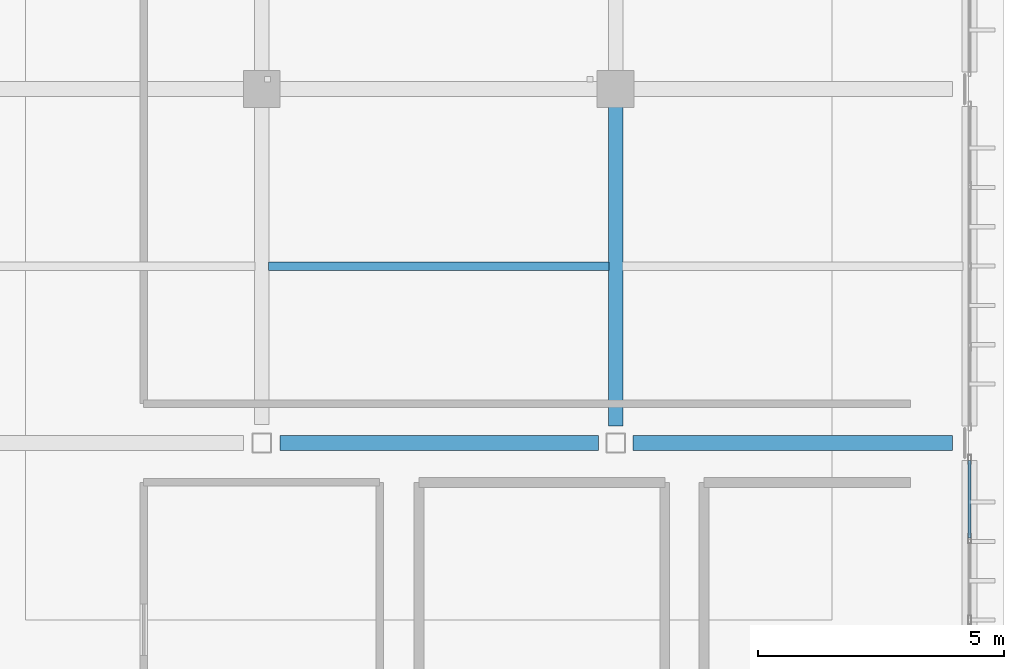
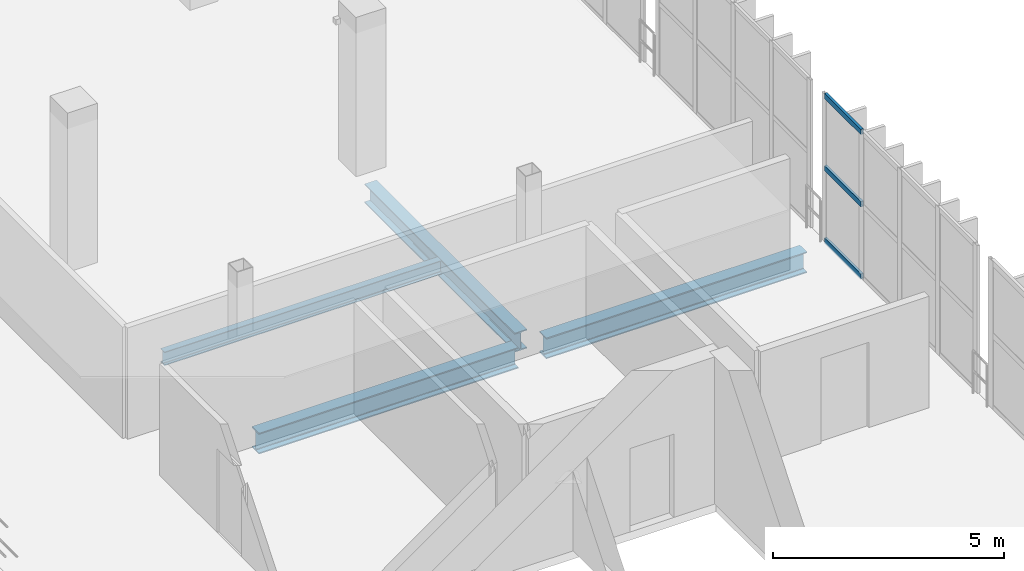
# One storey, part 73 of 130: 4 beams, 3 members, 1 element without a shape of its own.
"""IFC4 building model written with IfcOpenShell, lengths in metres."""

import ifcopenshell
import ifcopenshell.guid

model = None  # the IFC model being written
_history = None  # IfcOwnerHistory: only IFC2X3 demands one
_inside = {}  # id of a spatial element -> (the spatial element, [elements in it])
_under = {}  # id of a project, library or spatial element -> (it, [spatial elements below it])
_declared = {}  # id of a project -> (the project, [libraries it declares])
_typed = {}  # id of a type object -> (the type object, [elements of that type])
_made_of = {}  # id of a material, layer set ... -> (it, [elements and type objects made of it])


def new_model(schema):
    """Start an empty IFC model of exactly this schema.

    Asked for "IFC4X3", IfcOpenShell would pick the latest addendum, in which some entities
    have other attributes; the version numbers below select the first issue.
    IFC2X3 requires an IfcOwnerHistory on every rooted entity: one is made here for all.
    """
    global model, _history
    if schema == "IFC4X3":
        model = ifcopenshell.file(schema_version=(4, 3, 0, 0))
    else:
        model = ifcopenshell.file(schema=schema)
    _inside.clear()
    _under.clear()
    _declared.clear()
    _typed.clear()
    _made_of.clear()
    _history = None
    if model.schema == "IFC2X3":
        org = make("IfcOrganization", Name="unknown")
        user = make(
            "IfcPersonAndOrganization",
            ThePerson=make("IfcPerson", FamilyName="unknown"),
            TheOrganization=org,
        )
        app = make(
            "IfcApplication",
            ApplicationDeveloper=org,
            Version="unknown",
            ApplicationFullName="unknown",
            ApplicationIdentifier="unknown",
        )
        _history = make(
            "IfcOwnerHistory",
            OwningUser=user,
            OwningApplication=app,
            ChangeAction="ADDED",
            CreationDate=0,
        )
    return model


def make(cls, **values):
    """One entity of the class cls with the attributes given. An attribute that is None is left unset."""
    return model.create_entity(
        cls, **{name: value for name, value in values.items() if value is not None}
    )


def rooted(cls, **values):
    """An entity with a GlobalId (a new one), such as an element, a storey or a relation."""
    return make(cls, GlobalId=ifcopenshell.guid.new(), OwnerHistory=_history, **values)


def si_unit(unit_type, name, prefix=None):
    """IfcSIUnit, for example si_unit("LENGTHUNIT", "METRE", prefix="MILLI")."""
    return make("IfcSIUnit", UnitType=unit_type, Prefix=prefix, Name=name)


def assignment(units):
    """IfcUnitAssignment: the units of a project."""
    return None if units is None else make("IfcUnitAssignment", Units=units)


def point(xyz):
    """IfcCartesianPoint."""
    return None if xyz is None else make("IfcCartesianPoint", Coordinates=xyz)


def direction(xyz):
    """IfcDirection."""
    return None if xyz is None else make("IfcDirection", DirectionRatios=xyz)


def frame(location, z_axis=None, x_axis=None):
    """IfcAxis2Placement3D, a coordinate frame: its origin and axes. An axis left out is left unset."""
    return make(
        "IfcAxis2Placement3D",
        Location=point(location),
        Axis=direction(z_axis),
        RefDirection=direction(x_axis),
    )


def frame_2d(location, x_axis=None):
    """IfcAxis2Placement2D, a coordinate frame in the plane: its origin and x axis."""
    return make(
        "IfcAxis2Placement2D", Location=point(location), RefDirection=direction(x_axis)
    )


def origin():
    """The frame at (0, 0, 0) with its axes left unset."""
    return frame((0.0, 0.0, 0.0))


def origin_2d():
    """The frame at (0, 0) in the plane with its x axis left unset."""
    return frame_2d((0.0, 0.0))


def place(relative_to, where):
    """IfcLocalPlacement: puts the frame where relative to a parent placement (None: the world)."""
    return make(
        "IfcLocalPlacement", PlacementRelTo=relative_to, RelativePlacement=where
    )


def context(
    kind, dimensions, precision=None, world=None, true_north=None, identifier=None
):
    """IfcGeometricRepresentationContext, for example the 3D "Model" context."""
    return make(
        "IfcGeometricRepresentationContext",
        ContextIdentifier=identifier,
        ContextType=kind,
        CoordinateSpaceDimension=dimensions,
        Precision=precision,
        WorldCoordinateSystem=world,
        TrueNorth=true_north,
    )


def subcontext(parent, identifier, kind, view, scale=None):
    """IfcGeometricRepresentationSubContext, for example "Body" below "Model"."""
    return make(
        "IfcGeometricRepresentationSubContext",
        ContextIdentifier=identifier,
        ContextType=kind,
        ParentContext=parent,
        TargetScale=scale,
        TargetView=view,
    )


def project(units=None, contexts=None):
    """IfcProject with its units and contexts."""
    return rooted(
        "IfcProject",
        Name="project",
        RepresentationContexts=contexts,
        UnitsInContext=assignment(units),
    )


def spatial(cls, under=None, at=None, **own):
    """A site, building, storey or space (cls), placed at a placement, below another one or the project."""
    s = rooted(cls, ObjectPlacement=at, **own)
    if under is not None:
        _under.setdefault(under.id(), (under, []))[1].append(s)
    return s


def profile(cls, at=None, kind="AREA", **sizes):
    """A parametric profile (cls). Its sizes go by their IFC names, for example OverallWidth=200.0."""
    return make(cls, ProfileType=kind, Position=at, **sizes)


def hollow_rectangle(**sizes):
    """IfcRectangleHollowProfileDef."""
    return profile("IfcRectangleHollowProfileDef", **sizes)


def i_section(**sizes):
    """IfcIShapeProfileDef."""
    return profile("IfcIShapeProfileDef", **sizes)


def extrude(swept, where, along, depth):
    """IfcExtrudedAreaSolid: the profile swept, set in the frame where, extruded along a direction by depth."""
    return make(
        "IfcExtrudedAreaSolid",
        SweptArea=swept,
        Position=where,
        ExtrudedDirection=direction(along),
        Depth=depth,
    )


def shape(context_of_items, identifier, shape_type, items):
    """IfcShapeRepresentation: the items that make up one representation, for example the "Body"."""
    return make(
        "IfcShapeRepresentation",
        ContextOfItems=context_of_items,
        RepresentationIdentifier=identifier,
        RepresentationType=shape_type,
        Items=items,
    )


def material(Name=None, Category=None):
    """IfcMaterial."""
    return make("IfcMaterial", Name=Name, Category=Category)


def material_profile(
    of_material, cross_section, Name=None, Category=None, Priority=None
):
    """IfcMaterialProfile: a cross section and its material."""
    return make(
        "IfcMaterialProfile",
        Name=Name,
        Material=of_material,
        Profile=cross_section,
        Priority=Priority,
        Category=Category,
    )


def profile_set(profiles, Name=None, composite=None):
    """IfcMaterialProfileSet."""
    return make(
        "IfcMaterialProfileSet",
        Name=Name,
        MaterialProfiles=profiles,
        CompositeProfile=composite,
    )


def made_of(thing, what):
    """Note that an element or type object is made of a material, layer set ...; save() writes the relation."""
    if what is not None:
        _made_of.setdefault(what.id(), (what, []))[1].append(thing)
    return thing


def type_object(cls, material=None, **own):
    """A type object (cls), such as IfcWallType, which elements share."""
    return made_of(rooted(cls, **own), material)


def element(
    cls,
    number,
    at=None,
    inside=None,
    cuts=None,
    type_object=None,
    material=None,
    context=None,
    identifier="Body",
    shape_type=None,
    held_by="IfcProductDefinitionShape",
    body=None,
    shapes=None,
    **own,
):
    """One element of the class cls, such as IfcWall. Its Tag is "e" and its number.

    at: its placement. inside: the storey or other place that contains it. cuts: it is an
    opening in that element (IfcRelVoidsElement). A single representation is given by context,
    identifier, shape_type and body (its items); several are given by shapes. held_by: the class
    of the entity that holds the representations. save() writes the other relations.
    """
    e = rooted(cls, Tag="e%d" % number, ObjectPlacement=at, **own)
    if body is not None:
        shapes = [shape(context, identifier, shape_type, body)]
    if shapes is not None:
        e.Representation = make(held_by, Representations=shapes)
    if inside is not None:
        _inside.setdefault(inside.id(), (inside, []))[1].append(e)
    if cuts is not None:
        rooted(
            "IfcRelVoidsElement", RelatingBuildingElement=cuts, RelatedOpeningElement=e
        )
    if type_object is not None:
        _typed.setdefault(type_object.id(), (type_object, []))[1].append(e)
    return made_of(e, material)


def aggregate(whole, parts):
    """IfcRelAggregates: a whole, such as a stair, and the parts it consists of."""
    return rooted("IfcRelAggregates", RelatingObject=whole, RelatedObjects=parts)


def save(model, path):
    """Write the relations noted so far, then the file.

    IfcRelAggregates (storeys below a building ...), IfcRelContainedInSpatialStructure (elements
    in a storey), IfcRelDefinesByType, IfcRelAssociatesMaterial and IfcRelDeclares: one each for
    every whole, place, type object, material and project.
    """
    for whole, parts in _under.values():
        aggregate(whole, parts)
    for where, things in _inside.values():
        rooted(
            "IfcRelContainedInSpatialStructure",
            RelatedElements=things,
            RelatingStructure=where,
        )
    for kind, things in _typed.values():
        rooted("IfcRelDefinesByType", RelatedObjects=things, RelatingType=kind)
    for what, things in _made_of.values():
        rooted("IfcRelAssociatesMaterial", RelatedObjects=things, RelatingMaterial=what)
    for by, libraries in _declared.values():
        rooted("IfcRelDeclares", RelatingContext=by, RelatedDefinitions=libraries)
    model.write(path)


model = new_model("IFC4")

# Units and contexts
model_context = context("Model", 3, precision=1e-05, world=origin(), true_north=direction((0.0, 1.0)))
body_context = subcontext(model_context, "Body", "Model", "MODEL_VIEW")
ifc_project = project(units=[si_unit("LENGTHUNIT", "METRE"), si_unit("AREAUNIT", "SQUARE_METRE"), si_unit("VOLUMEUNIT", "CUBIC_METRE"), si_unit("PLANEANGLEUNIT", "RADIAN"), si_unit("MASSUNIT", "GRAM", prefix="KILO")], contexts=[model_context])

# Site, building, storey
site_placement = place(None, origin())
site = spatial("IfcSite", under=ifc_project, at=site_placement, CompositionType="ELEMENT")
building_placement = place(site_placement, origin())
building = spatial("IfcBuilding", under=site, at=building_placement, Name="Qandorah Velis Arena", CompositionType="ELEMENT")
storey_placement = place(building_placement, frame((0.0, 0.0, 9.60009765625)))
storey = spatial("IfcBuildingStorey", under=building, at=storey_placement, Name="L02", CompositionType="ELEMENT", Elevation=9.60009765625)

# Curtain wall, members
ifc_material_1 = material(Name="Solar-control low-E double glazing", Category="glass")
curtain_wall_type = type_object("IfcCurtainWallType", Name="ARC-CW-SYS02", PredefinedType="USERDEFINED", material=ifc_material_1)
curtain_wall_placement = place(storey_placement, origin())
curtain_wall = element("IfcCurtainWall", 1, at=curtain_wall_placement, inside=storey, type_object=curtain_wall_type, Name="Unitised curtain wall L02-146", ObjectType="UNITISED CURTAIN WALL", PredefinedType="USERDEFINED")
ifc_material_2 = material(Name="Champagne-bronze anodized aluminium 6063-T6", Category="aluminium")
ifc_material_profile_1 = material_profile(ifc_material_2, hollow_rectangle(XDim=0.06494140625, YDim=0.139892578125, WallThickness=0.0029296875, at=origin_2d()), Name="ALU TRANSOM 65x140")
ifc_profile_set_1 = profile_set([ifc_material_profile_1], Name="Champagne-bronze anodized aluminium 6063-T6")
member_type = type_object("IfcMemberType", Name="ARC-CWT-140", PredefinedType="USERDEFINED", material=ifc_profile_set_1)
member_1_placement = place(storey_placement, frame((172.800048828125, 55.67041015625, 0.032470703125), z_axis=(0.0, 1.0, 0.0), x_axis=(-1.0, 0.0, 0.0)))
member_1 = element("IfcMember", 2, at=member_1_placement, type_object=member_type, Name="CW02 transom 4.1", ObjectType="TRANSOM", PredefinedType="USERDEFINED", context=body_context, shape_type="SweptSolid", body=[
    extrude(hollow_rectangle(XDim=0.06494140625, YDim=0.139892578125, WallThickness=0.0029296875, at=origin_2d()), origin(), (0.0, 0.0, 1.0), 1.57666015625),
])
member_2_placement = place(storey_placement, frame((172.800048828125, 55.67041015625, 1.93994140625), z_axis=(0.0, 1.0, 0.0), x_axis=(-1.0, 0.0, 0.0)))
member_2 = element("IfcMember", 3, at=member_2_placement, type_object=member_type, Name="CW02 transom 4.2", ObjectType="TRANSOM", PredefinedType="USERDEFINED", context=body_context, shape_type="SweptSolid", body=[
    extrude(hollow_rectangle(XDim=0.06494140625, YDim=0.139892578125, WallThickness=0.0029296875, at=origin_2d()), origin(), (0.0, 0.0, 1.0), 1.57666015625),
])
member_3_placement = place(storey_placement, frame((172.800048828125, 55.67041015625, 3.847412109375), z_axis=(0.0, 1.0, 0.0), x_axis=(-1.0, 0.0, 0.0)))
member_3 = element("IfcMember", 4, at=member_3_placement, type_object=member_type, Name="CW02 transom 4.3", ObjectType="TRANSOM", PredefinedType="USERDEFINED", context=body_context, shape_type="SweptSolid", body=[
    extrude(hollow_rectangle(XDim=0.06494140625, YDim=0.139892578125, WallThickness=0.0029296875, at=origin_2d()), origin(), (0.0, 0.0, 1.0), 1.57666015625),
])
aggregate(curtain_wall, [member_1, member_2, member_3])

# Beams
ifc_material_3 = material(Name="Steel S355", Category="steel")
ifc_material_profile_2 = material_profile(ifc_material_3, i_section(OverallWidth=0.300048828125, OverallDepth=0.5, WebThickness=0.014404296875, FlangeThickness=0.028076171875, FilletRadius=0.027099609375, at=origin_2d()), Name="HEB 500")
ifc_profile_set_2 = profile_set([ifc_material_profile_2], Name="Steel S355")
beam_type_1 = type_object("IfcBeamType", Name="STR-BM-HEB500", PredefinedType="BEAM", material=ifc_profile_set_2)
beam_1_placement = place(storey_placement, frame((165.60009765625, 57.949951171875, -0.530029296875), z_axis=(0.0, 1.0, 0.0), x_axis=(-1.0, 0.0, 0.0)))
element("IfcBeam", 5, at=beam_1_placement, inside=storey, type_object=beam_type_1, Name="Primary floor girder L02 Y-341", PredefinedType="BEAM", context=body_context, shape_type="SweptSolid", body=[
    extrude(i_section(OverallWidth=0.300048828125, OverallDepth=0.5, WebThickness=0.014404296875, FlangeThickness=0.028076171875, FilletRadius=0.027099609375, at=origin_2d()), origin(), (0.0, 0.0, 1.0), 6.5),
])
ifc_material_profile_3 = material_profile(ifc_material_3, i_section(OverallWidth=0.300048828125, OverallDepth=0.550048828125, WebThickness=0.014892578125, FlangeThickness=0.029052734375, FilletRadius=0.027099609375, at=origin_2d()), Name="HEB 550")
ifc_profile_set_3 = profile_set([ifc_material_profile_3], Name="Steel S355")
beam_type_2 = type_object("IfcBeamType", Name="STR-BM-HEB550", PredefinedType="BEAM", material=ifc_profile_set_3)
beam_2_placement = place(storey_placement, frame((158.77490234375, 57.60009765625, -0.55517578125), z_axis=(1.0, 0.0, 0.0), x_axis=(0.0, 1.0, 0.0)))
element("IfcBeam", 6, at=beam_2_placement, inside=storey, type_object=beam_type_2, Name="Primary floor girder L02 X-089", PredefinedType="BEAM", context=body_context, shape_type="SweptSolid", body=[
    extrude(i_section(OverallWidth=0.300048828125, OverallDepth=0.550048828125, WebThickness=0.014892578125, FlangeThickness=0.029052734375, FilletRadius=0.027099609375, at=origin_2d()), origin(), (0.0, 0.0, 1.0), 6.47509765625),
])
beam_3_placement = place(storey_placement, frame((165.949951171875, 57.60009765625, -0.55517578125), z_axis=(1.0, 0.0, 0.0), x_axis=(0.0, 1.0, 0.0)))
element("IfcBeam", 7, at=beam_3_placement, inside=storey, type_object=beam_type_2, Name="Primary floor girder L02 X-090", PredefinedType="BEAM", context=body_context, shape_type="SweptSolid", body=[
    extrude(i_section(OverallWidth=0.300048828125, OverallDepth=0.550048828125, WebThickness=0.014892578125, FlangeThickness=0.029052734375, FilletRadius=0.027099609375, at=origin_2d()), origin(), (0.0, 0.0, 1.0), 6.5),
])
ifc_material_profile_4 = material_profile(ifc_material_3, i_section(OverallWidth=0.169921875, OverallDepth=0.360107421875, WebThickness=0.008056640625, FlangeThickness=0.0126953125, FilletRadius=0.01806640625, at=origin_2d()), Name="IPE 360")
ifc_profile_set_4 = profile_set([ifc_material_profile_4], Name="Steel S355")
beam_type_3 = type_object("IfcBeamType", Name="STR-JST-IPE360", PredefinedType="JOIST", material=ifc_profile_set_4)
beam_4_placement = place(storey_placement, frame((158.534912109375, 61.199951171875, -0.460205078125), z_axis=(1.0, 0.0, 0.0), x_axis=(0.0, 1.0, 0.0)))
element("IfcBeam", 8, at=beam_4_placement, inside=storey, type_object=beam_type_3, Name="Secondary floor joist L02-101", PredefinedType="JOIST", context=body_context, shape_type="SweptSolid", body=[
    extrude(i_section(OverallWidth=0.169921875, OverallDepth=0.360107421875, WebThickness=0.008056640625, FlangeThickness=0.0126953125, FilletRadius=0.01806640625, at=origin_2d()), origin(), (0.0, 0.0, 1.0), 6.93017578125),
])

save(model, "model.ifc")
